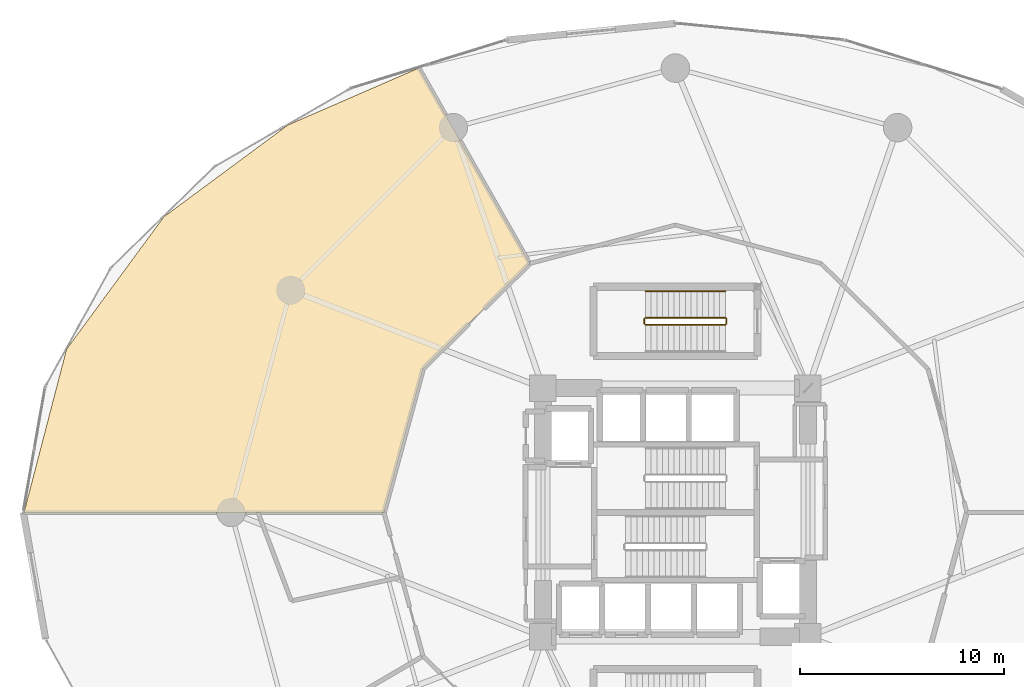
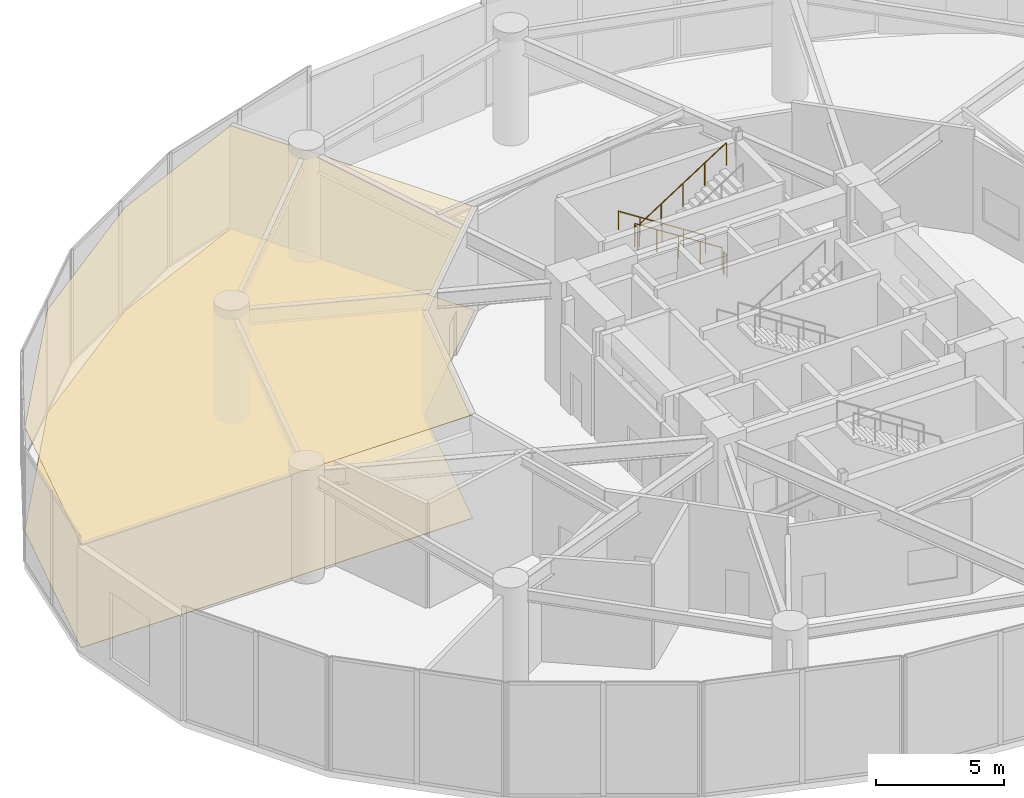
# One storey, part 28 of 29: 5 railings, 2 coverings.
"""IFC4 building model written with IfcOpenShell, lengths in metres."""

from ifc_helpers import new_model, si_unit, direction, frame, origin, origin_2d, place, context, subcontext, project, spatial, polyline, circle, outline, extrude, material, layer, layer_set, type_object, element, save


model = new_model("IFC4")

# Units and contexts
model_context = context("Model", 3, precision=1e-05, world=origin(), true_north=direction((0.0, 1.0)))
body_context = subcontext(model_context, "Body", "Model", "MODEL_VIEW")
ifc_project = project(units=[si_unit("LENGTHUNIT", "METRE"), si_unit("AREAUNIT", "SQUARE_METRE"), si_unit("VOLUMEUNIT", "CUBIC_METRE"), si_unit("PLANEANGLEUNIT", "RADIAN"), si_unit("MASSUNIT", "GRAM", prefix="KILO")], contexts=[model_context])

# Site, building, storey
site_placement = place(None, origin())
site = spatial("IfcSite", under=ifc_project, at=site_placement, CompositionType="ELEMENT")
building_placement = place(site_placement, origin())
building = spatial("IfcBuilding", under=site, at=building_placement, Name="Solvirekh Grand Hotel", CompositionType="ELEMENT")
storey_placement = place(building_placement, frame((0.0, 0.0, 7.199951171875)))
storey = spatial("IfcBuildingStorey", under=building, at=storey_placement, Name="L01", CompositionType="ELEMENT", Elevation=7.199951171875)

# Coverings
ifc_material_1 = material(Name="Acoustic Mineral Ceiling Tile")
ifc_layer_1 = layer(ifc_material_1, 0.02490234375)
ifc_layer_set_1 = layer_set([ifc_layer_1], Name="Acoustic Mineral Ceiling Tile")
covering_type_1 = type_object("IfcCoveringType", Name="Cov_Ceiling_Acoustic", PredefinedType="CEILING", material=ifc_layer_set_1)
covering_1_placement = place(storey_placement, frame((0.0, 0.0, 4.929931640625)))
element("IfcCovering", 1, at=covering_1_placement, inside=storey, type_object=covering_type_1, Name="L01 Main Show Kitchen & Pastry Pantry acoustic ceiling", PredefinedType="CEILING", context=body_context, shape_type="SweptSolid", body=[
    extrude(outline(polyline([(-12.587890625, 21.803955078125), (-19.009033203125, 19.009033203125), (-25.10595703125, 14.4951171875), (-29.875, 8.0048828125), (-31.9599609375, 0.0), (-14.300048828125, 0.0), (-12.384033203125, 7.050048828125), (-7.14990234375, 12.2109375), (-12.587890625, 21.803955078125)])), origin(), (0.0, 0.0, 1.0), 0.01806640625),
])
ifc_material_2 = material(Name="Porcelain Stoneware Flooring", Category="masonry")
ifc_layer_2 = layer(ifc_material_2, 0.030029296875)
ifc_layer_set_2 = layer_set([ifc_layer_2], Name="Porcelain Stoneware Flooring")
covering_type_2 = type_object("IfcCoveringType", Name="Cov_Floor_Stone", PredefinedType="FLOORING", material=ifc_layer_set_2)
covering_2_placement = place(storey_placement, origin())
element("IfcCovering", 2, at=covering_2_placement, inside=storey, type_object=covering_type_2, Name="L01 Main Show Kitchen & Pastry Pantry polished granite flooring", PredefinedType="FLOORING", context=body_context, shape_type="SweptSolid", body=[
    extrude(outline(polyline([(-12.587890625, 21.803955078125), (-19.009033203125, 19.009033203125), (-25.10595703125, 14.4951171875), (-29.875, 8.0048828125), (-31.9599609375, 0.0), (-14.300048828125, 0.0), (-12.384033203125, 7.050048828125), (-7.14990234375, 12.2109375), (-12.587890625, 21.803955078125)])), origin(), (0.0, 0.0, 1.0), 0.02001953125),
])

# Railings
ifc_material_3 = material(Name="Steel S355", Category="steel")
railing_type_1 = type_object("IfcRailingType", Name="Guard_Stair_1100", PredefinedType="GUARDRAIL", material=ifc_material_3)
railing_1_placement = place(storey_placement, frame((2.449951171875, 9.550048828125, 0.179931640625)))
element("IfcRailing", 3, at=railing_1_placement, inside=storey, type_object=railing_type_1, Name="L01 ST-4 stair guard 1", PredefinedType="GUARDRAIL", context=body_context, shape_type="SweptSolid", body=[
    extrude(circle(Radius=0.02392578125, at=origin_2d()), frame((0.0, 0.0, 1.076171875), z_axis=(-0.841171666519, 0.0, 0.540768182723), x_axis=(0.0, -1.0, 0.0)), (0.0, 0.0, 1.0), 4.66015625),
    extrude(circle(Radius=0.02099609375, at=origin_2d()), origin(), (0.0, 0.0, 1.0), 1.052001953125),
    extrude(circle(Radius=0.02099609375, at=origin_2d()), frame((-0.97998046875, 0.0, 0.6298828125)), (0.0, 0.0, 1.0), 1.052001953125),
    extrude(circle(Radius=0.02099609375, at=origin_2d()), frame((-1.9599609375, 0.0, 1.260009765625)), (0.0, 0.0, 1.0), 1.052001953125),
    extrude(circle(Radius=0.02099609375, at=origin_2d()), frame((-2.93994140625, 0.0, 1.89013671875)), (0.0, 0.0, 1.0), 1.052001953125),
    extrude(circle(Radius=0.02099609375, at=origin_2d()), frame((-3.919921875, 0.0, 2.52001953125)), (0.0, 0.0, 1.0), 1.052001953125),
])
railing_2_placement = place(storey_placement, frame((-1.52001953125, 9.5, 2.699951171875)))
element("IfcRailing", 4, at=railing_2_placement, inside=storey, type_object=railing_type_1, Name="L01 ST-4 stair guard 2", PredefinedType="GUARDRAIL", context=body_context, shape_type="SweptSolid", body=[
    extrude(circle(Radius=0.02392578125, at=origin_2d()), frame((0.0, 0.0, 1.076171875), z_axis=(0.0, -1.0, 0.0), x_axis=(1.0, 0.0, 0.0)), (0.0, 0.0, 1.0), 0.25),
    extrude(circle(Radius=0.02099609375, at=origin_2d()), origin(), (0.0, 0.0, 1.0), 1.052001953125),
    extrude(circle(Radius=0.02099609375, at=origin_2d()), frame((0.0, -0.25, 0.0)), (0.0, 0.0, 1.0), 1.052001953125),
])
railing_3_placement = place(storey_placement, frame((-1.469970703125, 9.199951171875, 2.880126953125)))
element("IfcRailing", 5, at=railing_3_placement, inside=storey, type_object=railing_type_1, Name="L01 ST-4 stair guard 3", PredefinedType="GUARDRAIL", context=body_context, shape_type="SweptSolid", body=[
    extrude(circle(Radius=0.02392578125, at=origin_2d()), frame((0.0, 0.0, 1.076171875), z_axis=(0.841171666519, 0.0, 0.540768182723), x_axis=(0.0, 1.0, 0.0)), (0.0, 0.0, 1.0), 4.66015625),
    extrude(circle(Radius=0.02099609375, at=origin_2d()), origin(), (0.0, 0.0, 1.0), 1.052001953125),
    extrude(circle(Radius=0.02099609375, at=origin_2d()), frame((0.97998046875, 0.0, 0.6298828125)), (0.0, 0.0, 1.0), 1.052001953125),
    extrude(circle(Radius=0.02099609375, at=origin_2d()), frame((1.9599609375, 0.0, 1.260009765625)), (0.0, 0.0, 1.0), 1.052001953125),
    extrude(circle(Radius=0.02099609375, at=origin_2d()), frame((2.93994140625, 0.0, 1.89013671875)), (0.0, 0.0, 1.0), 1.052001953125),
    extrude(circle(Radius=0.02099609375, at=origin_2d()), frame((3.919921875, 0.0, 2.52001953125)), (0.0, 0.0, 1.0), 1.052001953125),
])
railing_4_placement = place(storey_placement, frame((2.5, 9.5, 0.0)))
element("IfcRailing", 6, at=railing_4_placement, inside=storey, type_object=railing_type_1, Name="L01 ST-4 stair guard 4", PredefinedType="GUARDRAIL", context=body_context, shape_type="SweptSolid", body=[
    extrude(circle(Radius=0.02392578125, at=origin_2d()), frame((0.0, 0.0, 1.076171875), z_axis=(0.0, -1.0, 0.0), x_axis=(1.0, 0.0, 0.0)), (0.0, 0.0, 1.0), 0.25),
    extrude(circle(Radius=0.02099609375, at=origin_2d()), origin(), (0.0, 0.0, 1.0), 1.052001953125),
    extrude(circle(Radius=0.02099609375, at=origin_2d()), frame((0.0, -0.25, 0.0)), (0.0, 0.0, 1.0), 1.052001953125),
])
ifc_material_4 = material(Name="Anodized Bronze Aluminium 6063-T6", Category="aluminium")
railing_type_2 = type_object("IfcRailingType", Name="Handrail_Wall_900", PredefinedType="HANDRAIL", material=ifc_material_4)
railing_5_placement = place(storey_placement, frame((2.449951171875, 10.85009765625, 0.179931640625)))
element("IfcRailing", 7, at=railing_5_placement, inside=storey, type_object=railing_type_2, Name="L01 ST-4 stair handrail 1", PredefinedType="HANDRAIL", context=body_context, shape_type="SweptSolid", body=[
    extrude(circle(Radius=0.02392578125, at=origin_2d()), frame((0.0, 0.0, 0.8759765625), z_axis=(-0.841171666519, 0.0, 0.540768182723), x_axis=(0.0, -1.0, 0.0)), (0.0, 0.0, 1.0), 4.66015625),
    extrude(circle(Radius=0.02099609375, at=origin_2d()), origin(), (0.0, 0.0, 1.0), 0.851806640625),
    extrude(circle(Radius=0.02099609375, at=origin_2d()), frame((-0.97998046875, 0.0, 0.6298828125)), (0.0, 0.0, 1.0), 0.851806640625),
    extrude(circle(Radius=0.02099609375, at=origin_2d()), frame((-1.9599609375, 0.0, 1.260009765625)), (0.0, 0.0, 1.0), 0.851806640625),
    extrude(circle(Radius=0.02099609375, at=origin_2d()), frame((-2.93994140625, 0.0, 1.89013671875)), (0.0, 0.0, 1.0), 0.851806640625),
    extrude(circle(Radius=0.02099609375, at=origin_2d()), frame((-3.919921875, 0.0, 2.52001953125)), (0.0, 0.0, 1.0), 0.851806640625),
])

save(model, "model.ifc")
